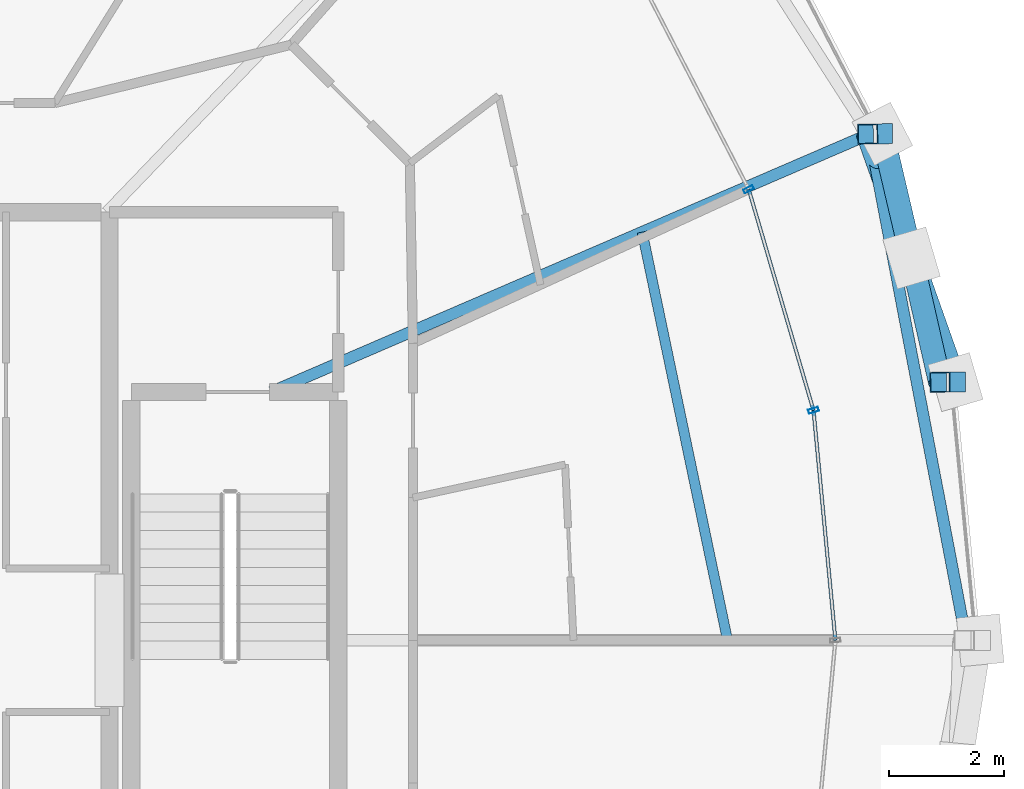
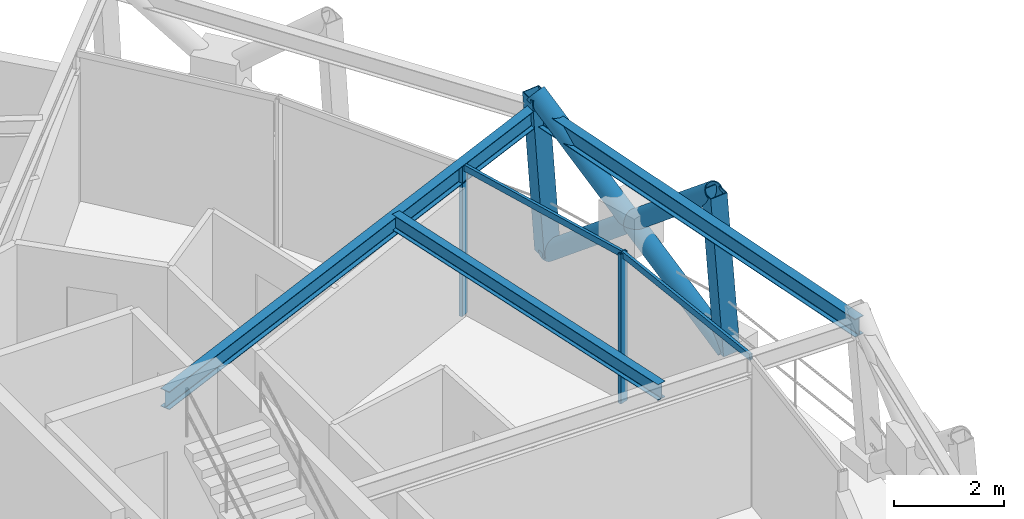
# One storey, part 6 of 15: 9 members, 3 beams, 1 element without a shape of its own.
"""IFC4 building model written with IfcOpenShell, lengths in metres."""

from ifc_helpers import new_model, si_unit, direction, frame, origin, origin_2d, place, context, subcontext, project, spatial, hollow_rectangle, hollow_circle, i_section, extrude, material, layer, layer_set, material_profile, profile_set, type_object, element, aggregate, save


model = new_model("IFC4")

# Units and contexts
model_context = context("Model", 3, precision=1e-05, world=origin(), true_north=direction((0.0, 1.0)))
body_context = subcontext(model_context, "Body", "Model", "MODEL_VIEW")
ifc_project = project(units=[si_unit("LENGTHUNIT", "METRE"), si_unit("AREAUNIT", "SQUARE_METRE"), si_unit("VOLUMEUNIT", "CUBIC_METRE"), si_unit("PLANEANGLEUNIT", "RADIAN"), si_unit("MASSUNIT", "GRAM", prefix="KILO")], contexts=[model_context])

# Site, building, storey
site_placement = place(None, origin())
site = spatial("IfcSite", under=ifc_project, at=site_placement, CompositionType="ELEMENT")
building_placement = place(site_placement, origin())
building = spatial("IfcBuilding", under=site, at=building_placement, Name="Veldorina Hangang Commons", CompositionType="ELEMENT")
storey_placement = place(building_placement, frame((0.0, 0.0, 258.0)))
storey = spatial("IfcBuildingStorey", under=building, at=storey_placement, Name="L67", CompositionType="ELEMENT", Elevation=258.0)

# Beams
ifc_material_1 = material(Name="Steel SM355-TMC", Category="steel")
ifc_material_profile_1 = material_profile(ifc_material_1, i_section(OverallWidth=0.199951171875, OverallDepth=0.39990234375, WebThickness=0.008056640625, FlangeThickness=0.012939453125, FilletRadius=0.012939453125, at=origin_2d()), Name="H-400x200x8x13")
ifc_profile_set_1 = profile_set([ifc_material_profile_1], Name="Steel SM355-TMC")
beam_type_1 = type_object("IfcBeamType", Name="BM-FG400", PredefinedType="BEAM", material=ifc_profile_set_1)
beam_1_placement = place(storey_placement, frame((42.015380859375, 28.320068359375, 3.159912109375), z_axis=(0.918231481777, 0.396044121121, 0.0), x_axis=(-0.396044121121, 0.918231481777, 0.0)))
element("IfcBeam", 1, at=beam_1_placement, inside=storey, type_object=beam_type_1, Name="L67 radial floor girder 02", PredefinedType="BEAM", context=body_context, shape_type="SweptSolid", body=[
    extrude(i_section(OverallWidth=0.199951171875, OverallDepth=0.39990234375, WebThickness=0.008056640625, FlangeThickness=0.012939453125, FilletRadius=0.012939453125, at=origin_2d()), origin(), (0.0, 0.0, 1.0), 11.337646484375),
])
ifc_material_profile_2 = material_profile(ifc_material_1, i_section(OverallWidth=0.175048828125, OverallDepth=0.35009765625, WebThickness=0.007080078125, FlangeThickness=0.010986328125, FilletRadius=0.012939453125, at=origin_2d()), Name="H-350x175x7x11")
ifc_profile_set_2 = profile_set([ifc_material_profile_2], Name="Steel SM355-TMC")
beam_type_2 = type_object("IfcBeamType", Name="BM-JST350", PredefinedType="JOIST", material=ifc_profile_set_2)
beam_2_placement = place(storey_placement, frame((49.9560546875, 24.0, 3.18505859375), z_axis=(-0.204725250766, 0.978819478606, 0.0), x_axis=(-0.978819478606, -0.204725250766, 0.0)))
element("IfcBeam", 2, at=beam_2_placement, inside=storey, type_object=beam_type_2, Name="L67 secondary floor joist 01", PredefinedType="JOIST", context=body_context, shape_type="SweptSolid", body=[
    extrude(i_section(OverallWidth=0.175048828125, OverallDepth=0.35009765625, WebThickness=0.007080078125, FlangeThickness=0.010986328125, FilletRadius=0.012939453125, at=origin_2d()), origin(), (0.0, 0.0, 1.0), 7.2578125),
])
ifc_material_profile_3 = material_profile(ifc_material_1, i_section(OverallWidth=0.199951171875, OverallDepth=0.39990234375, WebThickness=0.008056640625, FlangeThickness=0.012939453125, FilletRadius=0.012939453125, at=origin_2d()), Name="H-400x200x8x13")
ifc_profile_set_3 = profile_set([ifc_material_profile_3], Name="Steel SM355-TMC")
beam_type_3 = type_object("IfcBeamType", Name="BM-RB400", PredefinedType="BEAM", material=ifc_profile_set_3)
beam_3_placement = place(storey_placement, frame((54.10888671875, 24.0, 3.159912109375), z_axis=(-0.187618637091, 0.982241949326, 0.0), x_axis=(-0.982241949326, -0.187618637091, 0.0)))
element("IfcBeam", 3, at=beam_3_placement, inside=storey, type_object=beam_type_3, Name="L67 perimeter hoop ring beam 00", PredefinedType="BEAM", context=body_context, shape_type="SweptSolid", body=[
    extrude(i_section(OverallWidth=0.199951171875, OverallDepth=0.39990234375, WebThickness=0.008056640625, FlangeThickness=0.012939453125, FilletRadius=0.012939453125, at=origin_2d()), origin(), (0.0, 0.0, 1.0), 8.969482421875),
])

# Curtain wall, members
ifc_material_2 = material(Name="Glass Low-E Selective", Category="glass")
ifc_layer = layer(ifc_material_2, 0.179931640625)
ifc_layer_set = layer_set([ifc_layer], Name="Glass Low-E Selective")
curtain_wall_type = type_object("IfcCurtainWallType", Name="CW-SYS-Z3", PredefinedType="NOTDEFINED", material=ifc_layer_set)
curtain_wall_placement = place(storey_placement, origin())
curtain_wall = element("IfcCurtainWall", 4, at=curtain_wall_placement, inside=storey, type_object=curtain_wall_type, Name="L67 unitised curtain wall CW-L67-R2", PredefinedType="NOTDEFINED")
ifc_material_3 = material(Name="Aluminium Anodized AA6063-T6", Category="aluminium")
ifc_material_profile_4 = material_profile(ifc_material_3, hollow_rectangle(XDim=0.070068359375, YDim=0.179931640625, WallThickness=0.00390625, at=origin_2d()), Name="ALU-RHS-180x70x4")
ifc_profile_set_4 = profile_set([ifc_material_profile_4], Name="Aluminium Anodized AA6063-T6")
member_type_1 = type_object("IfcMemberType", Name="CW-MUL-180", PredefinedType="MULLION", material=ifc_profile_set_4)
member_1_placement = place(storey_placement, frame((51.45166015625, 28.001953125, 0.0), z_axis=(0.0, 0.0, 1.0), x_axis=(-0.281420451592, 0.959584560852, 0.0)))
member_1 = element("IfcMember", 5, at=member_1_placement, type_object=member_type_1, Name="CW-L67-R2 vertical mullion 3", PredefinedType="MULLION", context=body_context, shape_type="SweptSolid", body=[
    extrude(hollow_rectangle(XDim=0.070068359375, YDim=0.179931640625, WallThickness=0.00390625, at=origin_2d()), origin(), (0.0, 0.0, 1.0), 3.320068359375),
])
member_2_placement = place(storey_placement, frame((50.322998046875, 31.85009765625, 0.0), z_axis=(0.0, 0.0, 1.0), x_axis=(-0.459083760002, 0.888392988099, 0.0)))
member_2 = element("IfcMember", 6, at=member_2_placement, type_object=member_type_1, Name="CW-L67-R2 vertical mullion 4", PredefinedType="MULLION", context=body_context, shape_type="SweptSolid", body=[
    extrude(hollow_rectangle(XDim=0.070068359375, YDim=0.179931640625, WallThickness=0.00390625, at=origin_2d()), origin(), (0.0, 0.0, 1.0), 3.320068359375),
])
ifc_material_profile_5 = material_profile(ifc_material_3, hollow_rectangle(XDim=0.06005859375, YDim=0.139892578125, WallThickness=0.00341796875, at=origin_2d()), Name="ALU-RHS-140x60x3.5")
ifc_profile_set_5 = profile_set([ifc_material_profile_5], Name="Aluminium Anodized AA6063-T6")
member_type_2 = type_object("IfcMemberType", Name="CW-TRN-140", PredefinedType="USERDEFINED", material=ifc_profile_set_5)
member_3_placement = place(storey_placement, frame((51.832763671875, 24.0, 3.280029296875), z_axis=(-0.094800494807, 0.995496291397, 0.0), x_axis=(-0.995496291397, -0.094800494807, 0.0)))
member_3 = element("IfcMember", 7, at=member_3_placement, type_object=member_type_2, Name="CW-L67-R2 facet 2 transom 1", ObjectType="TRANSOM", PredefinedType="USERDEFINED", context=body_context, shape_type="SweptSolid", body=[
    extrude(hollow_rectangle(XDim=0.06005859375, YDim=0.139892578125, WallThickness=0.00341796875, at=origin_2d()), origin(), (0.0, 0.0, 1.0), 4.02001953125),
])
member_4_placement = place(storey_placement, frame((51.45166015625, 28.001953125, 3.280029296875), z_axis=(-0.281444418765, 0.959577531597, 0.0), x_axis=(-0.959577531597, -0.281444418765, 0.0)))
member_4 = element("IfcMember", 8, at=member_4_placement, type_object=member_type_2, Name="CW-L67-R2 facet 3 transom 1", ObjectType="TRANSOM", PredefinedType="USERDEFINED", context=body_context, shape_type="SweptSolid", body=[
    extrude(hollow_rectangle(XDim=0.06005859375, YDim=0.139892578125, WallThickness=0.00341796875, at=origin_2d()), origin(), (0.0, 0.0, 1.0), 4.01025390625),
])
aggregate(curtain_wall, [member_1, member_2, member_3, member_4])

# Members
ifc_material_profile_6 = material_profile(ifc_material_1, hollow_circle(Radius=0.199951171875, WallThickness=0.02001953125, at=origin_2d()), Name="CHS-400x20")
ifc_profile_set_6 = profile_set([ifc_material_profile_6], Name="Steel SM355-TMC")
member_type_3 = type_object("IfcMemberType", Name="DG-CHS400", PredefinedType="BRACE", material=ifc_profile_set_6)
member_5_placement = place(storey_placement, frame((53.92333984375, 28.49365234375, 0.0), z_axis=(-0.262430575548, 0.741017432538, 0.618080381255), x_axis=(-0.942632468558, -0.33383233699, 0.0)))
element("IfcMember", 9, at=member_5_placement, inside=storey, type_object=member_type_3, Name="L67 continuous perimeter diagrid brace 01", PredefinedType="BRACE", context=body_context, shape_type="SweptSolid", body=[
    extrude(hollow_circle(Radius=0.199951171875, WallThickness=0.02001953125, at=origin_2d()), origin(), (0.0, 0.0, 1.0), 5.82470703125),
])
member_6_placement = place(storey_placement, frame((52.6513671875, 32.814453125, 0.0), z_axis=(0.177381012936, -0.755983017097, 0.630099717594), x_axis=(0.973559775322, 0.228432405484, 0.0)))
element("IfcMember", 10, at=member_6_placement, inside=storey, type_object=member_type_3, Name="L67 split perimeter diagrid lower brace 02", PredefinedType="BRACE", context=body_context, shape_type="SweptSolid", body=[
    extrude(hollow_circle(Radius=0.199951171875, WallThickness=0.02001953125, at=origin_2d()), origin(), (0.0, 0.0, 1.0), 2.858642578125),
])
member_7_placement = place(storey_placement, frame((53.158447265625, 30.6533203125, 1.80126953125), z_axis=(0.172459663965, -0.757215063993, 0.629986516655), x_axis=(0.97503109066, 0.222068395423, 0.0)))
element("IfcMember", 11, at=member_7_placement, inside=storey, type_object=member_type_3, Name="L67 split perimeter diagrid upper brace 02", PredefinedType="BRACE", context=body_context, shape_type="SweptSolid", body=[
    extrude(hollow_circle(Radius=0.199951171875, WallThickness=0.02001953125, at=origin_2d()), origin(), (0.0, 0.0, 1.0), 2.855224609375),
])
ifc_material_profile_7 = material_profile(ifc_material_1, hollow_rectangle(XDim=0.35009765625, YDim=0.35009765625, WallThickness=0.01611328125, at=origin_2d()), Name="SHS-350x350x16")
ifc_profile_set_7 = profile_set([ifc_material_profile_7], Name="Steel SM355-TMC")
member_type_4 = type_object("IfcMemberType", Name="STR-SHS350", PredefinedType="STRUT", material=ifc_profile_set_7)
member_8_placement = place(storey_placement, frame((53.92333984375, 28.49365234375, 0.0), z_axis=(-0.075465709734, -0.000676216037, 0.997148168221), x_axis=(0.008960213768, -0.999959856479, 0.0)))
element("IfcMember", 12, at=member_8_placement, inside=storey, type_object=member_type_4, Name="L67 perimeter ring node post 01", PredefinedType="STRUT", context=body_context, shape_type="SweptSolid", body=[
    extrude(hollow_rectangle(XDim=0.35009765625, YDim=0.35009765625, WallThickness=0.01611328125, at=origin_2d()), origin(), (0.0, 0.0, 1.0), 3.6103515625),
])
member_9_placement = place(storey_placement, frame((52.6513671875, 32.814453125, 0.0), z_axis=(-0.071093161764, -0.001285223667, 0.99746885192), x_axis=(0.018075067574, -0.999836632622, 0.0)))
element("IfcMember", 13, at=member_9_placement, inside=storey, type_object=member_type_4, Name="L67 perimeter ring node post 02", PredefinedType="STRUT", context=body_context, shape_type="SweptSolid", body=[
    extrude(hollow_rectangle(XDim=0.35009765625, YDim=0.35009765625, WallThickness=0.01611328125, at=origin_2d()), origin(), (0.0, 0.0, 1.0), 3.609130859375),
])

save(model, "model.ifc")
